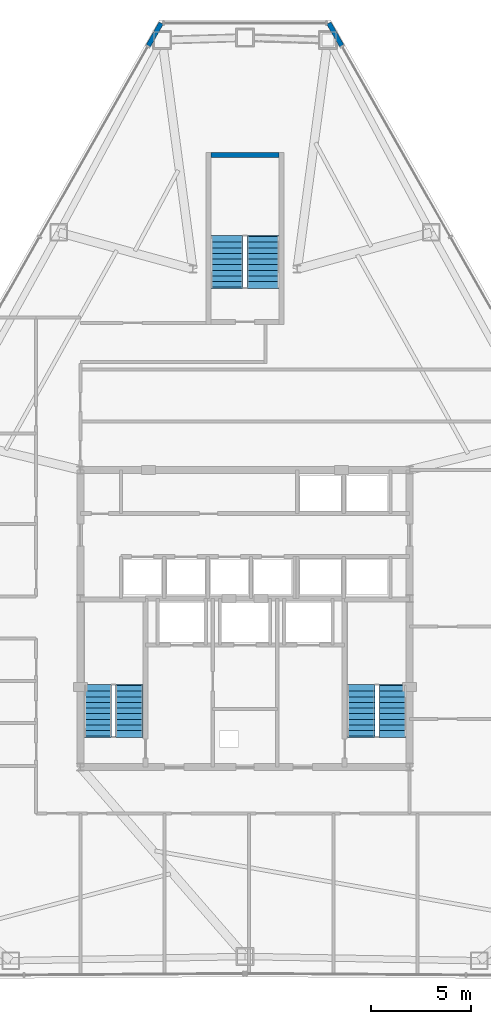
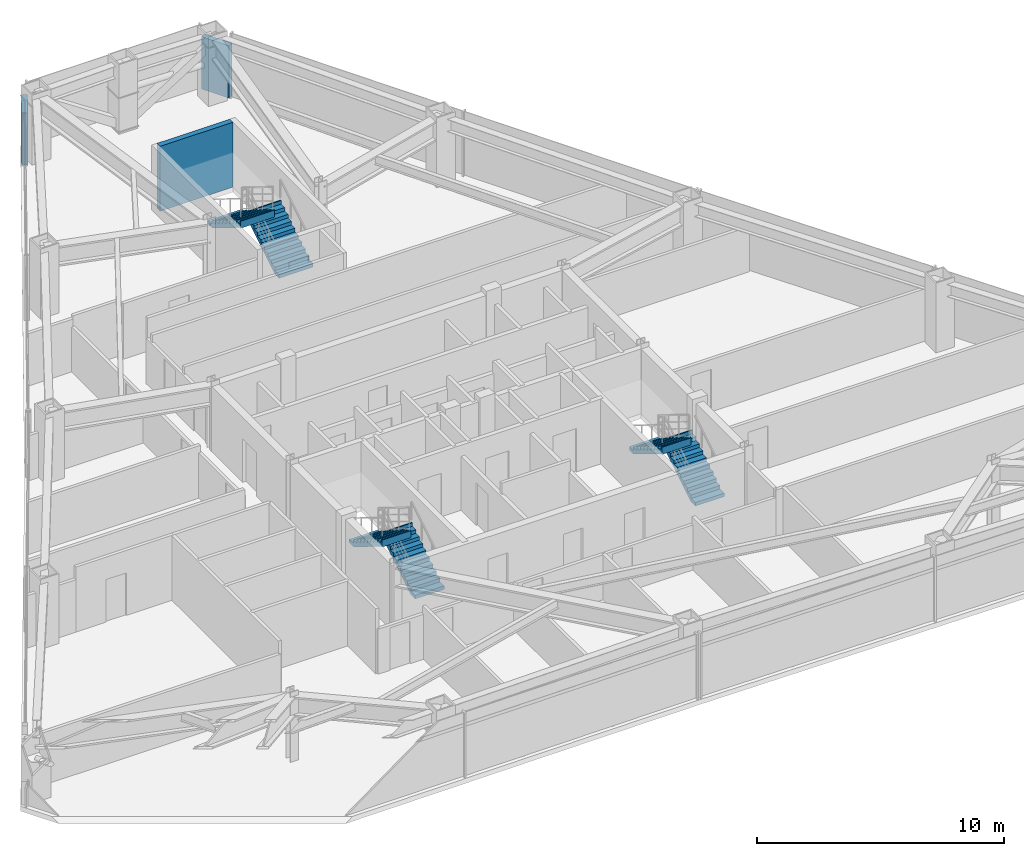
# One storey, part 12 of 13: 6 stair flights, 3 walls, 3 elements without a shape of their own.
"""IFC4 building model written with IfcOpenShell, lengths in metres."""

from ifc_helpers import new_model, si_unit, direction, frame, frame_2d, origin, place, context, subcontext, project, spatial, polyline, rectangle, outline, extrude, material, layer, layer_set, type_object, element, aggregate, save


model = new_model("IFC4")

# Units and contexts
model_context = context("Model", 3, precision=1e-05, world=origin(), true_north=direction((0.0, 1.0)))
body_context = subcontext(model_context, "Body", "Model", "MODEL_VIEW")
ifc_project = project(units=[si_unit("LENGTHUNIT", "METRE"), si_unit("AREAUNIT", "SQUARE_METRE"), si_unit("VOLUMEUNIT", "CUBIC_METRE"), si_unit("PLANEANGLEUNIT", "RADIAN"), si_unit("MASSUNIT", "GRAM", prefix="KILO")], contexts=[model_context])

# Site, building, storey
site_placement = place(None, origin())
site = spatial("IfcSite", under=ifc_project, at=site_placement, CompositionType="ELEMENT")
building_placement = place(site_placement, origin())
building = spatial("IfcBuilding", under=site, at=building_placement, Name="Varakhsha Concourse Tower", CompositionType="ELEMENT")
storey_placement = place(building_placement, frame((0.0, 0.0, 136.699951171875)))
storey = spatial("IfcBuildingStorey", under=building, at=storey_placement, Name="L39", CompositionType="ELEMENT", Elevation=136.699951171875)

# Walls
ifc_material = material(Name="Concrete fc 45 MPa", Category="concrete")
ifc_layer_1 = layer(ifc_material, 0.239990234375, Name="WL-EXT-CRN-240")
ifc_layer_set_1 = layer_set([ifc_layer_1], Name="Concrete fc 45 MPa")
wall_type_1 = type_object("IfcWallType", Name="WL-EXT-CRN-240", PredefinedType="SHEAR", material=ifc_layer_set_1)
for number, where, z_axis, x_axis, name in (
    (1, (35.82568359375, 53.44873046875, 0.0), (0.0, 0.0, 1.0), (-0.494070823743, -0.869421658993, 0.0), "L39 Wind-Corner Shoulder Wall F2"),
    (2, (44.8154296875, 52.320556640625, 0.0), (0.0, 0.0, 1.0), (-0.494070823743, 0.869421658993, 0.0), "L39 Wind-Corner Shoulder Wall F9"),
):
    element("IfcWall", number, at=place(storey_placement, frame(where, z_axis=z_axis, x_axis=x_axis)), inside=storey, type_object=wall_type_1, Name=name, PredefinedType="SHEAR", context=body_context, shape_type="SweptSolid", body=[
        extrude(rectangle(XDim=1.297607421875, YDim=0.239990234375, at=frame_2d((0.64892578125, 0.0))), origin(), (0.0, 0.0, 1.0), 2.5830078125),
    ])
ifc_layer_2 = layer(ifc_material, 0.25, Name="WL-STAIR-250")
ifc_layer_set_2 = layer_set([ifc_layer_2], Name="Concrete fc 45 MPa")
wall_type_2 = type_object("IfcWallType", Name="WL-STAIR-250", PredefinedType="SHEAR", material=ifc_layer_set_2)
wall_placement = place(storey_placement, frame((38.300048828125, 46.875, 0.0), z_axis=(0.0, 0.0, 1.0), x_axis=(1.0, 0.0, 0.0)))
element("IfcWall", 3, at=wall_placement, inside=storey, type_object=wall_type_2, Name="L39 Wall SWALL-ST5-N-L39", PredefinedType="SHEAR", context=body_context, shape_type="SweptSolid", body=[
    extrude(rectangle(XDim=3.39990234375, YDim=0.25, at=frame_2d((1.699951171875, 0.0))), origin(), (0.0, 0.0, 1.0), 3.2099609375),
])

# Stair, stair flights
stair_type_1 = type_object("IfcStairType", Name="ST-DOGLEG-1360", PredefinedType="HALF_TURN_STAIR", material=ifc_material)
stair_1_placement = place(storey_placement, origin())
stair_1 = element("IfcStair", 4, at=stair_1_placement, inside=storey, type_object=stair_type_1, Name="L39 Protected Exit Stair ST1", PredefinedType="HALF_TURN_STAIR")
stair_flight_type_1 = type_object("IfcStairFlightType", Name="STF-1360-R1725", PredefinedType="STRAIGHT", material=ifc_material)
stair_flight_1_placement = place(storey_placement, frame((34.239990234375, 17.93994140625, 0.0), z_axis=(0.0, 0.0, 1.0), x_axis=(0.0, 1.0, 0.0)))
stair_flight_1 = element("IfcStairFlight", 5, at=stair_flight_1_placement, type_object=stair_flight_type_1, Name="ST1 flight 1", NumberOfRisers=10, NumberOfTreads=9, PredefinedType="STRAIGHT", RiserHeight=0.1725, TreadLength=0.28, context=body_context, shape_type="SweptSolid", body=[
    extrude(outline(polyline([(-0.06005859375, 0.0), (-0.06005859375, 0.172607421875), (0.0, 0.172607421875), (0.280029296875, 0.172607421875), (0.280029296875, 0.344970703125), (0.56005859375, 0.344970703125), (0.56005859375, 0.517578125), (0.840087890625, 0.517578125), (0.840087890625, 0.68994140625), (1.1201171875, 0.68994140625), (1.1201171875, 0.862548828125), (1.39990234375, 0.862548828125), (1.39990234375, 1.034912109375), (1.679931640625, 1.034912109375), (1.679931640625, 1.20751953125), (1.9599609375, 1.20751953125), (1.9599609375, 1.3798828125), (2.239990234375, 1.3798828125), (2.239990234375, 1.552490234375), (2.52001953125, 1.552490234375), (2.52001953125, 1.72509765625), (2.580078125, 1.72509765625), (2.580078125, 1.37646484375), (2.52001953125, 1.37646484375), (0.285888671875, 0.0), (-0.06005859375, 0.0)])), frame((0.0, 0.68017578125, 0.0), z_axis=(0.0, -1.0, 0.0), x_axis=(1.0, 0.0, 0.0)), (0.0, 0.0, 1.0), 1.360107421875),
])
stair_flight_2_placement = place(storey_placement, frame((32.679931640625, 20.4599609375, 1.72509765625), z_axis=(0.0, 0.0, 1.0), x_axis=(0.0, -1.0, 0.0)))
stair_flight_2 = element("IfcStairFlight", 6, at=stair_flight_2_placement, type_object=stair_flight_type_1, Name="ST1 flight 2", NumberOfRisers=10, NumberOfTreads=9, PredefinedType="STRAIGHT", RiserHeight=0.1725, TreadLength=0.28, context=body_context, shape_type="SweptSolid", body=[
    extrude(outline(polyline([(-0.06005859375, 0.0), (-0.06005859375, 0.172607421875), (0.0, 0.172607421875), (0.280029296875, 0.172607421875), (0.280029296875, 0.344970703125), (0.56005859375, 0.344970703125), (0.56005859375, 0.517578125), (0.840087890625, 0.517578125), (0.840087890625, 0.68994140625), (1.1201171875, 0.68994140625), (1.1201171875, 0.862548828125), (1.39990234375, 0.862548828125), (1.39990234375, 1.034912109375), (1.679931640625, 1.034912109375), (1.679931640625, 1.20751953125), (1.9599609375, 1.20751953125), (1.9599609375, 1.3798828125), (2.239990234375, 1.3798828125), (2.239990234375, 1.552490234375), (2.52001953125, 1.552490234375), (2.52001953125, 1.72509765625), (2.580078125, 1.72509765625), (2.580078125, 1.37646484375), (2.52001953125, 1.37646484375), (0.285888671875, 0.0), (-0.06005859375, 0.0)])), frame((0.0, 0.68017578125, 0.0), z_axis=(0.0, -1.0, 0.0), x_axis=(1.0, 0.0, 0.0)), (0.0, 0.0, 1.0), 1.360107421875),
])
aggregate(stair_1, [stair_flight_1, stair_flight_2])

stair_2_placement = place(storey_placement, origin())
stair_2 = element("IfcStair", 7, at=stair_2_placement, inside=storey, type_object=stair_type_1, Name="L39 Protected Exit Stair ST2", PredefinedType="HALF_TURN_STAIR")
stair_flight_3_placement = place(storey_placement, frame((47.340087890625, 17.93994140625, 0.0), z_axis=(0.0, 0.0, 1.0), x_axis=(0.0, 1.0, 0.0)))
stair_flight_3 = element("IfcStairFlight", 8, at=stair_flight_3_placement, type_object=stair_flight_type_1, Name="ST2 flight 1", NumberOfRisers=10, NumberOfTreads=9, PredefinedType="STRAIGHT", RiserHeight=0.1725, TreadLength=0.28, context=body_context, shape_type="SweptSolid", body=[
    extrude(outline(polyline([(-0.06005859375, 0.0), (-0.06005859375, 0.172607421875), (0.0, 0.172607421875), (0.280029296875, 0.172607421875), (0.280029296875, 0.344970703125), (0.56005859375, 0.344970703125), (0.56005859375, 0.517578125), (0.840087890625, 0.517578125), (0.840087890625, 0.68994140625), (1.1201171875, 0.68994140625), (1.1201171875, 0.862548828125), (1.39990234375, 0.862548828125), (1.39990234375, 1.034912109375), (1.679931640625, 1.034912109375), (1.679931640625, 1.20751953125), (1.9599609375, 1.20751953125), (1.9599609375, 1.3798828125), (2.239990234375, 1.3798828125), (2.239990234375, 1.552490234375), (2.52001953125, 1.552490234375), (2.52001953125, 1.72509765625), (2.580078125, 1.72509765625), (2.580078125, 1.37646484375), (2.52001953125, 1.37646484375), (0.285888671875, 0.0), (-0.06005859375, 0.0)])), frame((0.0, 0.68017578125, 0.0), z_axis=(0.0, -1.0, 0.0), x_axis=(1.0, 0.0, 0.0)), (0.0, 0.0, 1.0), 1.360107421875),
])
stair_flight_4_placement = place(storey_placement, frame((45.780029296875, 20.4599609375, 1.72509765625), z_axis=(0.0, 0.0, 1.0), x_axis=(0.0, -1.0, 0.0)))
stair_flight_4 = element("IfcStairFlight", 9, at=stair_flight_4_placement, type_object=stair_flight_type_1, Name="ST2 flight 2", NumberOfRisers=10, NumberOfTreads=9, PredefinedType="STRAIGHT", RiserHeight=0.1725, TreadLength=0.28, context=body_context, shape_type="SweptSolid", body=[
    extrude(outline(polyline([(-0.06005859375, 0.0), (-0.06005859375, 0.172607421875), (0.0, 0.172607421875), (0.280029296875, 0.172607421875), (0.280029296875, 0.344970703125), (0.56005859375, 0.344970703125), (0.56005859375, 0.517578125), (0.840087890625, 0.517578125), (0.840087890625, 0.68994140625), (1.1201171875, 0.68994140625), (1.1201171875, 0.862548828125), (1.39990234375, 0.862548828125), (1.39990234375, 1.034912109375), (1.679931640625, 1.034912109375), (1.679931640625, 1.20751953125), (1.9599609375, 1.20751953125), (1.9599609375, 1.3798828125), (2.239990234375, 1.3798828125), (2.239990234375, 1.552490234375), (2.52001953125, 1.552490234375), (2.52001953125, 1.72509765625), (2.580078125, 1.72509765625), (2.580078125, 1.37646484375), (2.52001953125, 1.37646484375), (0.285888671875, 0.0), (-0.06005859375, 0.0)])), frame((0.0, 0.68017578125, 0.0), z_axis=(0.0, -1.0, 0.0), x_axis=(1.0, 0.0, 0.0)), (0.0, 0.0, 1.0), 1.360107421875),
])
aggregate(stair_2, [stair_flight_3, stair_flight_4])

stair_type_2 = type_object("IfcStairType", Name="ST-DOGLEG-1600", PredefinedType="HALF_TURN_STAIR", material=ifc_material)
stair_3_placement = place(storey_placement, origin())
stair_3 = element("IfcStair", 10, at=stair_3_placement, inside=storey, type_object=stair_type_2, Name="L39 Protected Exit Stair ST5", PredefinedType="HALF_TURN_STAIR")
stair_flight_type_2 = type_object("IfcStairFlightType", Name="STF-1600-R1725", PredefinedType="STRAIGHT", material=ifc_material)
stair_flight_5_placement = place(storey_placement, frame((40.89990234375, 40.300048828125, 0.0), z_axis=(0.0, 0.0, 1.0), x_axis=(0.0, 1.0, 0.0)))
stair_flight_5 = element("IfcStairFlight", 11, at=stair_flight_5_placement, type_object=stair_flight_type_2, Name="ST5 flight 1", NumberOfRisers=10, NumberOfTreads=9, PredefinedType="STRAIGHT", RiserHeight=0.1725, TreadLength=0.28, context=body_context, shape_type="SweptSolid", body=[
    extrude(outline(polyline([(-0.06005859375, 0.0), (-0.06005859375, 0.172607421875), (0.0, 0.172607421875), (0.280029296875, 0.172607421875), (0.280029296875, 0.344970703125), (0.56005859375, 0.344970703125), (0.56005859375, 0.517578125), (0.840087890625, 0.517578125), (0.840087890625, 0.68994140625), (1.1201171875, 0.68994140625), (1.1201171875, 0.862548828125), (1.39990234375, 0.862548828125), (1.39990234375, 1.034912109375), (1.679931640625, 1.034912109375), (1.679931640625, 1.20751953125), (1.9599609375, 1.20751953125), (1.9599609375, 1.3798828125), (2.239990234375, 1.3798828125), (2.239990234375, 1.552490234375), (2.52001953125, 1.552490234375), (2.52001953125, 1.72509765625), (2.580078125, 1.72509765625), (2.580078125, 1.37646484375), (2.52001953125, 1.37646484375), (0.285888671875, 0.0), (-0.06005859375, 0.0)])), frame((0.0, 0.800048828125, 0.0), z_axis=(0.0, -1.0, 0.0), x_axis=(1.0, 0.0, 0.0)), (0.0, 0.0, 1.0), 1.60009765625),
])
stair_flight_6_placement = place(storey_placement, frame((39.10009765625, 42.820068359375, 1.72509765625), z_axis=(0.0, 0.0, 1.0), x_axis=(0.0, -1.0, 0.0)))
stair_flight_6 = element("IfcStairFlight", 12, at=stair_flight_6_placement, type_object=stair_flight_type_2, Name="ST5 flight 2", NumberOfRisers=10, NumberOfTreads=9, PredefinedType="STRAIGHT", RiserHeight=0.1725, TreadLength=0.28, context=body_context, shape_type="SweptSolid", body=[
    extrude(outline(polyline([(-0.06005859375, 0.0), (-0.06005859375, 0.172607421875), (0.0, 0.172607421875), (0.280029296875, 0.172607421875), (0.280029296875, 0.344970703125), (0.56005859375, 0.344970703125), (0.56005859375, 0.517578125), (0.840087890625, 0.517578125), (0.840087890625, 0.68994140625), (1.1201171875, 0.68994140625), (1.1201171875, 0.862548828125), (1.39990234375, 0.862548828125), (1.39990234375, 1.034912109375), (1.679931640625, 1.034912109375), (1.679931640625, 1.20751953125), (1.9599609375, 1.20751953125), (1.9599609375, 1.3798828125), (2.239990234375, 1.3798828125), (2.239990234375, 1.552490234375), (2.52001953125, 1.552490234375), (2.52001953125, 1.72509765625), (2.580078125, 1.72509765625), (2.580078125, 1.37646484375), (2.52001953125, 1.37646484375), (0.285888671875, 0.0), (-0.06005859375, 0.0)])), frame((0.0, 0.800048828125, 0.0), z_axis=(0.0, -1.0, 0.0), x_axis=(1.0, 0.0, 0.0)), (0.0, 0.0, 1.0), 1.60009765625),
])
aggregate(stair_3, [stair_flight_5, stair_flight_6])

save(model, "model.ifc")
